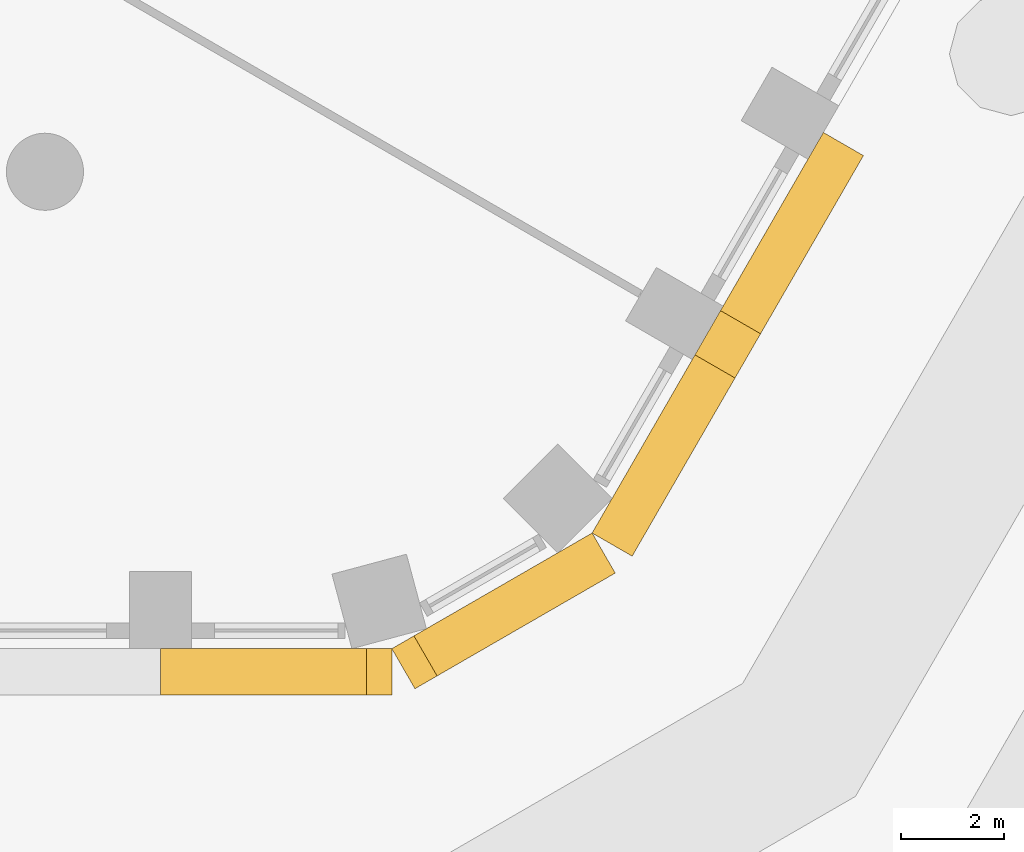
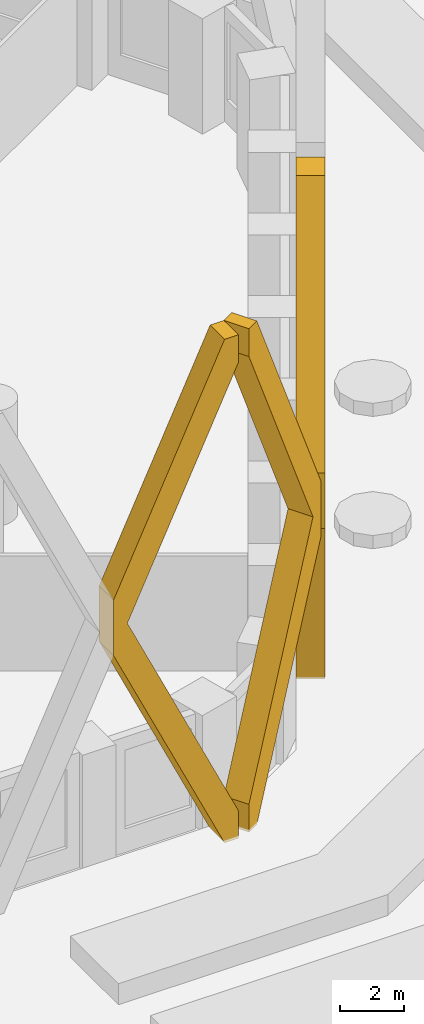
# One storey, part 22 of 27: 3 coverings.
"""IFC4 building model written with IfcOpenShell, lengths in metres."""

from ifc_helpers import new_model, si_unit, direction, frame, origin, place, context, subcontext, project, spatial, polyline, outline, extrude, material, type_object, element, save


model = new_model("IFC4")

# Units and contexts
model_context = context("Model", 3, precision=1e-05, world=origin(), true_north=direction((0.0, 1.0)))
body_context = subcontext(model_context, "Body", "Model", "MODEL_VIEW")
ifc_project = project(units=[si_unit("LENGTHUNIT", "METRE"), si_unit("AREAUNIT", "SQUARE_METRE"), si_unit("VOLUMEUNIT", "CUBIC_METRE"), si_unit("PLANEANGLEUNIT", "RADIAN"), si_unit("MASSUNIT", "GRAM", prefix="KILO")], contexts=[model_context])

# Site, building, storey
site_placement = place(None, origin())
site = spatial("IfcSite", under=ifc_project, at=site_placement, CompositionType="ELEMENT")
building_placement = place(site_placement, origin())
building = spatial("IfcBuilding", under=site, at=building_placement, Name="Dhurran Vertical Campus", CompositionType="ELEMENT")
storey_placement = place(building_placement, frame((0.0, 0.0, 10.800048828125)))
storey = spatial("IfcBuildingStorey", under=building, at=storey_placement, Name="L02", CompositionType="ELEMENT", Elevation=10.800048828125)

# Coverings
ifc_material = material(Name="Precast concrete C50/60", Category="concrete")
covering_type = type_object("IfcCoveringType", Name="Folded precast fin lattice diamond", PredefinedType="USERDEFINED", material=ifc_material)
covering_1_placement = place(storey_placement, frame((15.75, -31.77978515625, 0.0), z_axis=(0.0, -1.0, 0.0), x_axis=(1.0, 0.0, 0.0)))
element("IfcCovering", 1, at=covering_1_placement, inside=storey, type_object=covering_type, Name="FN1 L02.004", ObjectType="FIN", PredefinedType="USERDEFINED", context=body_context, shape_type="SweptSolid", body=[
    extrude(outline(polyline([(4.0029296875, 0.0), (0.0, 8.539794921875), (0.0, 10.66015625), (4.0029296875, 19.199951171875), (4.5, 19.199951171875), (4.5, 18.139892578125), (0.4970703125, 9.60009765625), (4.5, 1.060302734375), (4.5, 0.0), (4.0029296875, 0.0)])), origin(), (0.0, 0.0, 1.0), 0.89990234375),
])
covering_2_placement = place(storey_placement, frame((20.25, -31.77978515625, 0.0), z_axis=(0.50001992892, -0.866013897511, 0.0), x_axis=(0.866013897511, 0.50001992892, 0.0)))
element("IfcCovering", 2, at=covering_2_placement, inside=storey, type_object=covering_type, Name="FN1 L02.005", ObjectType="FIN", PredefinedType="USERDEFINED", context=body_context, shape_type="SweptSolid", body=[
    extrude(outline(polyline([(4.5, 8.539794921875), (0.4970703125, 0.0), (0.0, 0.0), (0.0, 1.060302734375), (4.0029296875, 9.60009765625), (0.0, 18.139892578125), (0.0, 19.199951171875), (0.4970703125, 19.199951171875), (4.5, 10.66015625), (4.5, 8.539794921875)])), origin(), (0.0, 0.0, 1.0), 0.89990234375),
])
covering_3_placement = place(storey_placement, frame((24.147216796875, -29.52978515625, 0.0), z_axis=(0.866013897511, -0.50001992892, 0.0), x_axis=(0.50001992892, 0.866013897511, 0.0)))
element("IfcCovering", 3, at=covering_3_placement, inside=storey, type_object=covering_type, Name="FN1 L02.006", ObjectType="FIN", PredefinedType="USERDEFINED", context=body_context, shape_type="SweptSolid", body=[
    extrude(outline(polyline([(9.0, 10.66015625), (9.0, 8.539794921875), (4.9970703125, 0.0), (4.0029296875, 0.0), (0.0, 8.539794921875), (0.0, 10.66015625), (4.0029296875, 19.199951171875), (4.9970703125, 19.199951171875), (9.0, 10.66015625)]), holes=[polyline([(8.5029296875, 9.60009765625), (4.5, 18.139892578125), (0.4970703125, 9.60009765625), (4.5, 1.060302734375), (8.5029296875, 9.60009765625)])]), origin(), (0.0, 0.0, 1.0), 0.89990234375),
])

save(model, "model.ifc")
